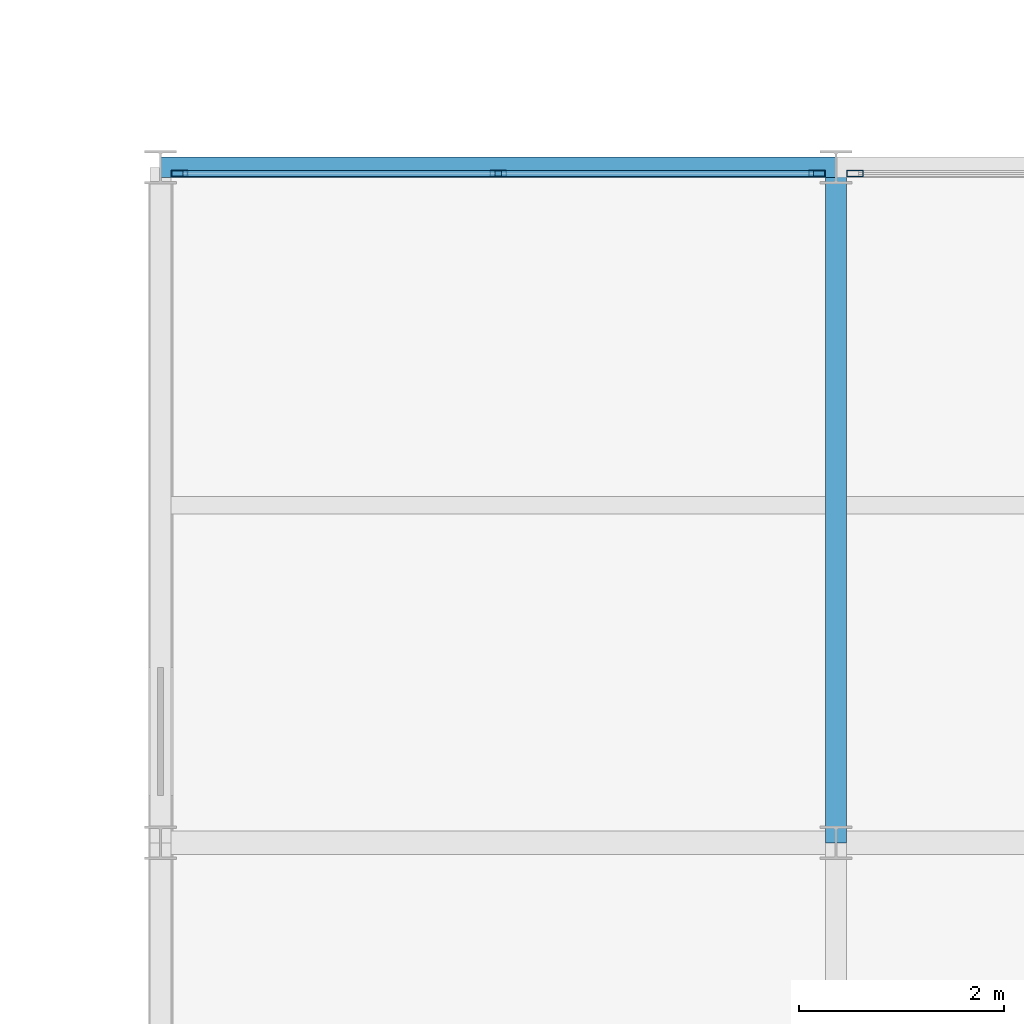
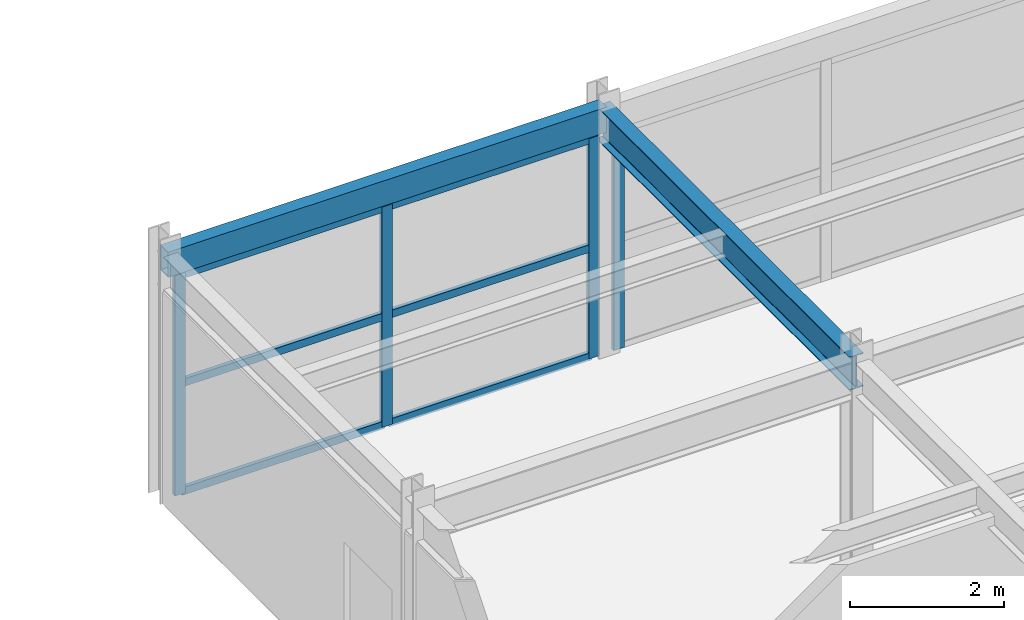
# One storey, part 43 of 106: 10 members, 2 beams, 2 elements without a shape of their own.
"""IFC4 building model written with IfcOpenShell, lengths in metres."""

from ifc_helpers import new_model, si_unit, direction, frame, origin, origin_2d, place, context, subcontext, project, spatial, hollow_rectangle, i_section, extrude, material, material_profile, profile_set, type_object, element, aggregate, save


model = new_model("IFC4")

# Units and contexts
model_context = context("Model", 3, precision=1e-05, world=origin(), true_north=direction((0.0, 1.0)))
body_context = subcontext(model_context, "Body", "Model", "MODEL_VIEW")
ifc_project = project(units=[si_unit("LENGTHUNIT", "METRE"), si_unit("AREAUNIT", "SQUARE_METRE"), si_unit("VOLUMEUNIT", "CUBIC_METRE"), si_unit("PLANEANGLEUNIT", "RADIAN"), si_unit("MASSUNIT", "GRAM", prefix="KILO")], contexts=[model_context])

# Site, building, storey
site_placement = place(None, origin())
site = spatial("IfcSite", under=ifc_project, at=site_placement, CompositionType="ELEMENT")
building_placement = place(site_placement, origin())
building = spatial("IfcBuilding", under=site, at=building_placement, Name="Karori Crest Natural Sciences Institute", CompositionType="ELEMENT")
storey_placement = place(building_placement, frame((0.0, 0.0, 25.89990234375)))
storey = spatial("IfcBuildingStorey", under=building, at=storey_placement, Name="L06", CompositionType="ELEMENT", Elevation=25.89990234375)

# Beams
ifc_material_1 = material(Name="Structural steel AS/NZS 3679.1 Grade 350", Category="steel")
ifc_material_profile_1 = material_profile(ifc_material_1, i_section(OverallWidth=0.208984375, OverallDepth=0.532958984375, WebThickness=0.01025390625, FlangeThickness=0.015625, FilletRadius=0.013916015625, at=origin_2d()), Name="530UB92.4")
ifc_profile_set_1 = profile_set([ifc_material_profile_1], Name="Structural steel AS/NZS 3679.1 Grade 350")
beam_type_1 = type_object("IfcBeamType", Name="BT-05", PredefinedType="BEAM", material=ifc_profile_set_1)
beam_1_placement = place(storey_placement, frame((110.199951171875, 14.0, 3.653564453125), z_axis=(0.0, 1.0, 0.0), x_axis=(-1.0, 0.0, 0.0)))
element("IfcBeam", 1, at=beam_1_placement, inside=storey, type_object=beam_type_1, Name="Beam B-2576", PredefinedType="BEAM", context=body_context, shape_type="SweptSolid", body=[
    extrude(i_section(OverallWidth=0.208984375, OverallDepth=0.532958984375, WebThickness=0.01025390625, FlangeThickness=0.015625, FilletRadius=0.013916015625, at=origin_2d()), origin(), (0.0, 0.0, 1.0), 6.60009765625),
])
ifc_material_2 = material(Name="Hollow structural steel AS/NZS 1163 Grade C350", Category="steel")
ifc_material_profile_2 = material_profile(ifc_material_2, hollow_rectangle(XDim=0.199951171875, YDim=0.39990234375, WallThickness=0.012451171875, at=origin_2d()), Name="RHS400x200x12.5")
ifc_profile_set_2 = profile_set([ifc_material_profile_2], Name="Hollow structural steel AS/NZS 1163 Grade C350")
beam_type_2 = type_object("IfcBeamType", Name="BT-14", PredefinedType="SPANDREL", material=ifc_profile_set_2)
beam_2_placement = place(storey_placement, frame((103.60009765625, 20.60009765625, 3.72021484375), z_axis=(1.0, 0.0, 0.0), x_axis=(0.0, 1.0, 0.0)))
element("IfcBeam", 2, at=beam_2_placement, inside=storey, type_object=beam_type_2, Name="Beam B-2563", PredefinedType="SPANDREL", context=body_context, shape_type="SweptSolid", body=[
    extrude(hollow_rectangle(XDim=0.199951171875, YDim=0.39990234375, WallThickness=0.012451171875, at=origin_2d()), origin(), (0.0, 0.0, 1.0), 6.599853515625),
])

# Curtain wall, members
ifc_material_3 = material(Name="Anodised architectural aluminium 6063-T6", Category="aluminium")
curtain_wall_type = type_object("IfcCurtainWallType", Name="CWT-20", PredefinedType="NOTDEFINED", material=ifc_material_3)
curtain_wall_1_placement = place(storey_placement, origin())
curtain_wall_1 = element("IfcCurtainWall", 3, at=curtain_wall_1_placement, inside=storey, type_object=curtain_wall_type, Name="Curtain wall CW-0349", PredefinedType="NOTDEFINED")
ifc_material_profile_3 = material_profile(ifc_material_3, hollow_rectangle(XDim=0.06494140625, YDim=0.159912109375, WallThickness=0.00390625, at=origin_2d()), Name="CWM160x65x4")
ifc_profile_set_3 = profile_set([ifc_material_profile_3], Name="Anodised architectural aluminium 6063-T6")
member_type_1 = type_object("IfcMemberType", Name="CWM-01", PredefinedType="MULLION", material=ifc_profile_set_3)
member_1_placement = place(storey_placement, frame((103.785888671875, 20.5400390625, 0.0), z_axis=(0.0, 0.0, 1.0), x_axis=(0.0, 1.0, 0.0)))
member_1 = element("IfcMember", 4, at=member_1_placement, type_object=member_type_1, Name="CW-0349 mullion 1", PredefinedType="MULLION", context=body_context, shape_type="SweptSolid", body=[
    extrude(hollow_rectangle(XDim=0.06494140625, YDim=0.159912109375, WallThickness=0.00390625, at=origin_2d()), origin(), (0.0, 0.0, 1.0), 3.505126953125),
])
member_2_placement = place(storey_placement, frame((106.89990234375, 20.5400390625, 0.0), z_axis=(0.0, 0.0, 1.0), x_axis=(0.0, 1.0, 0.0)))
member_2 = element("IfcMember", 5, at=member_2_placement, type_object=member_type_1, Name="CW-0349 mullion 2", PredefinedType="MULLION", context=body_context, shape_type="SweptSolid", body=[
    extrude(hollow_rectangle(XDim=0.06494140625, YDim=0.159912109375, WallThickness=0.00390625, at=origin_2d()), origin(), (0.0, 0.0, 1.0), 3.505126953125),
])
member_3_placement = place(storey_placement, frame((110.013916015625, 20.5400390625, 0.0), z_axis=(0.0, 0.0, 1.0), x_axis=(0.0, 1.0, 0.0)))
member_3 = element("IfcMember", 6, at=member_3_placement, type_object=member_type_1, Name="CW-0349 mullion 3", PredefinedType="MULLION", context=body_context, shape_type="SweptSolid", body=[
    extrude(hollow_rectangle(XDim=0.06494140625, YDim=0.159912109375, WallThickness=0.00390625, at=origin_2d()), origin(), (0.0, 0.0, 1.0), 3.505126953125),
])

# Curtain wall, member
curtain_wall_2_placement = place(storey_placement, origin())
curtain_wall_2 = element("IfcCurtainWall", 7, at=curtain_wall_2_placement, inside=storey, type_object=curtain_wall_type, Name="Curtain wall CW-0350", PredefinedType="NOTDEFINED")
member_4_placement = place(storey_placement, frame((110.385986328125, 20.5400390625, 0.0), z_axis=(0.0, 0.0, 1.0), x_axis=(0.0, 1.0, 0.0)))
member_4 = element("IfcMember", 8, at=member_4_placement, type_object=member_type_1, Name="CW-0350 mullion 1", PredefinedType="MULLION", context=body_context, shape_type="SweptSolid", body=[
    extrude(hollow_rectangle(XDim=0.06494140625, YDim=0.159912109375, WallThickness=0.00390625, at=origin_2d()), origin(), (0.0, 0.0, 1.0), 3.505126953125),
])
aggregate(curtain_wall_2, [member_4])

# Member
ifc_material_profile_4 = material_profile(ifc_material_3, hollow_rectangle(XDim=0.06005859375, YDim=0.1201171875, WallThickness=0.00390625, at=origin_2d()), Name="CWT120x60x4")
ifc_profile_set_4 = profile_set([ifc_material_profile_4], Name="Anodised architectural aluminium 6063-T6")
member_type_2 = type_object("IfcMemberType", Name="CWT-TR1", PredefinedType="USERDEFINED", material=ifc_profile_set_4)
member_5_placement = place(storey_placement, frame((103.818603515625, 20.5400390625, 0.030029296875), z_axis=(1.0, 0.0, 0.0), x_axis=(0.0, 1.0, 0.0)))
member_5 = element("IfcMember", 9, at=member_5_placement, type_object=member_type_2, Name="CW-0349 transom 1.1", ObjectType="TRANSOM", PredefinedType="USERDEFINED", context=body_context, shape_type="SweptSolid", body=[
    extrude(hollow_rectangle(XDim=0.06005859375, YDim=0.1201171875, WallThickness=0.00390625, at=origin_2d()), origin(), (0.0, 0.0, 1.0), 3.048828125),
])

member_6_placement = place(storey_placement, frame((103.818603515625, 20.5400390625, 1.752685546875), z_axis=(1.0, 0.0, 0.0), x_axis=(0.0, 1.0, 0.0)))
member_6 = element("IfcMember", 10, at=member_6_placement, type_object=member_type_2, Name="CW-0349 transom 1.2", ObjectType="TRANSOM", PredefinedType="USERDEFINED", context=body_context, shape_type="SweptSolid", body=[
    extrude(hollow_rectangle(XDim=0.06005859375, YDim=0.1201171875, WallThickness=0.00390625, at=origin_2d()), origin(), (0.0, 0.0, 1.0), 3.048828125),
])

member_7_placement = place(storey_placement, frame((103.818603515625, 20.5400390625, 3.47509765625), z_axis=(1.0, 0.0, 0.0), x_axis=(0.0, 1.0, 0.0)))
member_7 = element("IfcMember", 11, at=member_7_placement, type_object=member_type_2, Name="CW-0349 transom 1.3", ObjectType="TRANSOM", PredefinedType="USERDEFINED", context=body_context, shape_type="SweptSolid", body=[
    extrude(hollow_rectangle(XDim=0.06005859375, YDim=0.1201171875, WallThickness=0.00390625, at=origin_2d()), origin(), (0.0, 0.0, 1.0), 3.048828125),
])

member_8_placement = place(storey_placement, frame((106.9326171875, 20.5400390625, 0.030029296875), z_axis=(1.0, 0.0, 0.0), x_axis=(0.0, 1.0, 0.0)))
member_8 = element("IfcMember", 12, at=member_8_placement, type_object=member_type_2, Name="CW-0349 transom 2.1", ObjectType="TRANSOM", PredefinedType="USERDEFINED", context=body_context, shape_type="SweptSolid", body=[
    extrude(hollow_rectangle(XDim=0.06005859375, YDim=0.1201171875, WallThickness=0.00390625, at=origin_2d()), origin(), (0.0, 0.0, 1.0), 3.048828125),
])

member_9_placement = place(storey_placement, frame((106.9326171875, 20.5400390625, 1.752685546875), z_axis=(1.0, 0.0, 0.0), x_axis=(0.0, 1.0, 0.0)))
member_9 = element("IfcMember", 13, at=member_9_placement, type_object=member_type_2, Name="CW-0349 transom 2.2", ObjectType="TRANSOM", PredefinedType="USERDEFINED", context=body_context, shape_type="SweptSolid", body=[
    extrude(hollow_rectangle(XDim=0.06005859375, YDim=0.1201171875, WallThickness=0.00390625, at=origin_2d()), origin(), (0.0, 0.0, 1.0), 3.048828125),
])

member_10_placement = place(storey_placement, frame((106.9326171875, 20.5400390625, 3.47509765625), z_axis=(1.0, 0.0, 0.0), x_axis=(0.0, 1.0, 0.0)))
member_10 = element("IfcMember", 14, at=member_10_placement, type_object=member_type_2, Name="CW-0349 transom 2.3", ObjectType="TRANSOM", PredefinedType="USERDEFINED", context=body_context, shape_type="SweptSolid", body=[
    extrude(hollow_rectangle(XDim=0.06005859375, YDim=0.1201171875, WallThickness=0.00390625, at=origin_2d()), origin(), (0.0, 0.0, 1.0), 3.048828125),
])

aggregate(curtain_wall_1, [member_1, member_2, member_3, member_5, member_6, member_7, member_8, member_9, member_10])

save(model, "model.ifc")
